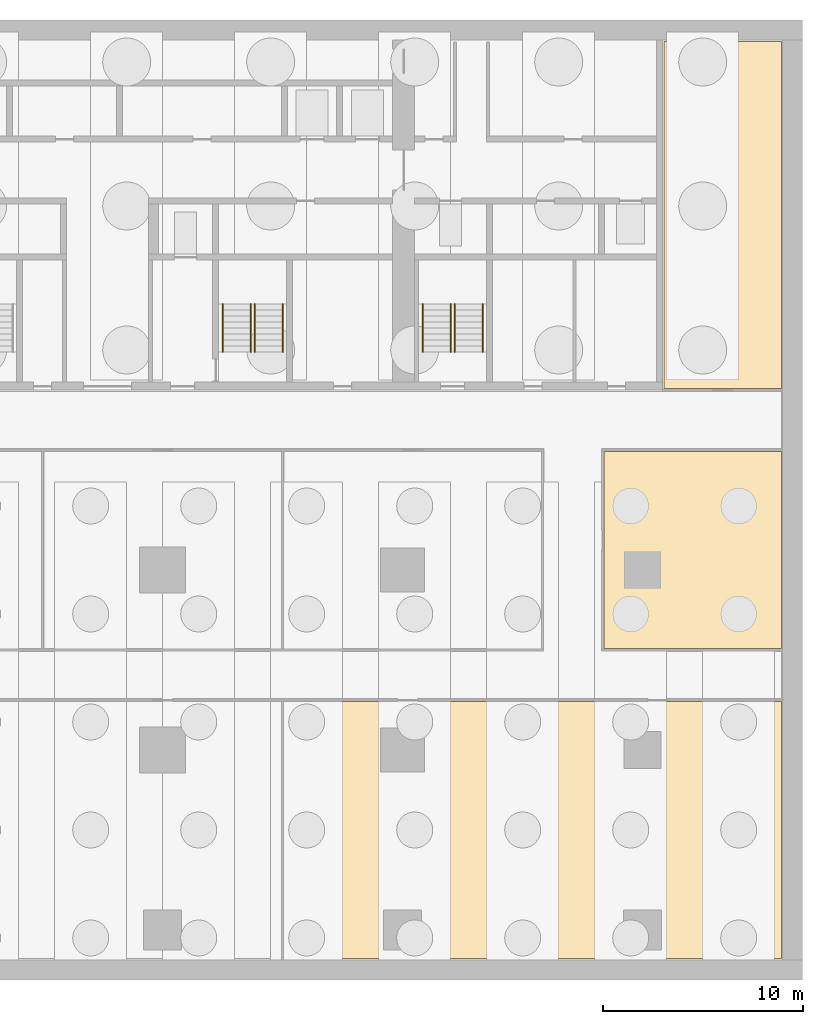
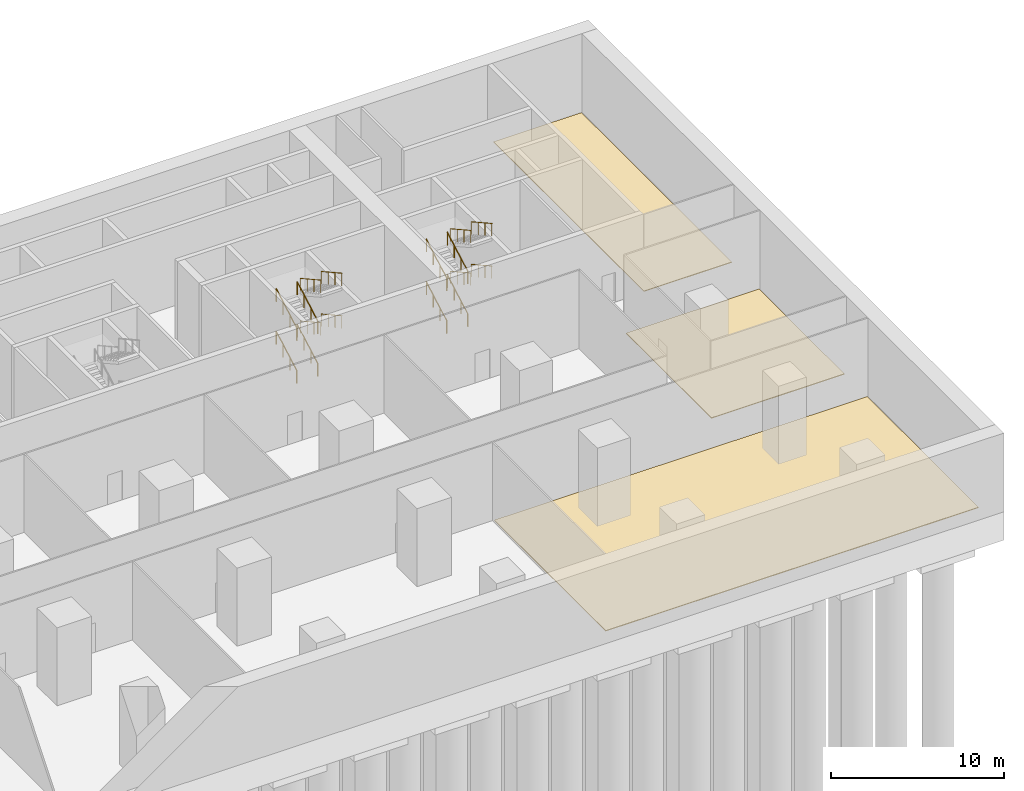
# One storey, part 10 of 11: 16 railings, 3 coverings, 2 elements without a shape of their own.
"""IFC4 building model written with IfcOpenShell, lengths in metres."""

import ifcopenshell
import ifcopenshell.guid

model = None  # the IFC model being written
_history = None  # IfcOwnerHistory: only IFC2X3 demands one
_inside = {}  # id of a spatial element -> (the spatial element, [elements in it])
_under = {}  # id of a project, library or spatial element -> (it, [spatial elements below it])
_declared = {}  # id of a project -> (the project, [libraries it declares])
_typed = {}  # id of a type object -> (the type object, [elements of that type])
_made_of = {}  # id of a material, layer set ... -> (it, [elements and type objects made of it])


def new_model(schema):
    """Start an empty IFC model of exactly this schema.

    Asked for "IFC4X3", IfcOpenShell would pick the latest addendum, in which some entities
    have other attributes; the version numbers below select the first issue.
    IFC2X3 requires an IfcOwnerHistory on every rooted entity: one is made here for all.
    """
    global model, _history
    if schema == "IFC4X3":
        model = ifcopenshell.file(schema_version=(4, 3, 0, 0))
    else:
        model = ifcopenshell.file(schema=schema)
    _inside.clear()
    _under.clear()
    _declared.clear()
    _typed.clear()
    _made_of.clear()
    _history = None
    if model.schema == "IFC2X3":
        org = make("IfcOrganization", Name="unknown")
        user = make(
            "IfcPersonAndOrganization",
            ThePerson=make("IfcPerson", FamilyName="unknown"),
            TheOrganization=org,
        )
        app = make(
            "IfcApplication",
            ApplicationDeveloper=org,
            Version="unknown",
            ApplicationFullName="unknown",
            ApplicationIdentifier="unknown",
        )
        _history = make(
            "IfcOwnerHistory",
            OwningUser=user,
            OwningApplication=app,
            ChangeAction="ADDED",
            CreationDate=0,
        )
    return model


def make(cls, **values):
    """One entity of the class cls with the attributes given. An attribute that is None is left unset."""
    return model.create_entity(
        cls, **{name: value for name, value in values.items() if value is not None}
    )


def rooted(cls, **values):
    """An entity with a GlobalId (a new one), such as an element, a storey or a relation."""
    return make(cls, GlobalId=ifcopenshell.guid.new(), OwnerHistory=_history, **values)


def si_unit(unit_type, name, prefix=None):
    """IfcSIUnit, for example si_unit("LENGTHUNIT", "METRE", prefix="MILLI")."""
    return make("IfcSIUnit", UnitType=unit_type, Prefix=prefix, Name=name)


def assignment(units):
    """IfcUnitAssignment: the units of a project."""
    return None if units is None else make("IfcUnitAssignment", Units=units)


def point(xyz):
    """IfcCartesianPoint."""
    return None if xyz is None else make("IfcCartesianPoint", Coordinates=xyz)


def direction(xyz):
    """IfcDirection."""
    return None if xyz is None else make("IfcDirection", DirectionRatios=xyz)


def frame(location, z_axis=None, x_axis=None):
    """IfcAxis2Placement3D, a coordinate frame: its origin and axes. An axis left out is left unset."""
    return make(
        "IfcAxis2Placement3D",
        Location=point(location),
        Axis=direction(z_axis),
        RefDirection=direction(x_axis),
    )


def frame_2d(location, x_axis=None):
    """IfcAxis2Placement2D, a coordinate frame in the plane: its origin and x axis."""
    return make(
        "IfcAxis2Placement2D", Location=point(location), RefDirection=direction(x_axis)
    )


def origin():
    """The frame at (0, 0, 0) with its axes left unset."""
    return frame((0.0, 0.0, 0.0))


def origin_2d():
    """The frame at (0, 0) in the plane with its x axis left unset."""
    return frame_2d((0.0, 0.0))


def place(relative_to, where):
    """IfcLocalPlacement: puts the frame where relative to a parent placement (None: the world)."""
    return make(
        "IfcLocalPlacement", PlacementRelTo=relative_to, RelativePlacement=where
    )


def context(
    kind, dimensions, precision=None, world=None, true_north=None, identifier=None
):
    """IfcGeometricRepresentationContext, for example the 3D "Model" context."""
    return make(
        "IfcGeometricRepresentationContext",
        ContextIdentifier=identifier,
        ContextType=kind,
        CoordinateSpaceDimension=dimensions,
        Precision=precision,
        WorldCoordinateSystem=world,
        TrueNorth=true_north,
    )


def subcontext(parent, identifier, kind, view, scale=None):
    """IfcGeometricRepresentationSubContext, for example "Body" below "Model"."""
    return make(
        "IfcGeometricRepresentationSubContext",
        ContextIdentifier=identifier,
        ContextType=kind,
        ParentContext=parent,
        TargetScale=scale,
        TargetView=view,
    )


def project(units=None, contexts=None):
    """IfcProject with its units and contexts."""
    return rooted(
        "IfcProject",
        Name="project",
        RepresentationContexts=contexts,
        UnitsInContext=assignment(units),
    )


def spatial(cls, under=None, at=None, **own):
    """A site, building, storey or space (cls), placed at a placement, below another one or the project."""
    s = rooted(cls, ObjectPlacement=at, **own)
    if under is not None:
        _under.setdefault(under.id(), (under, []))[1].append(s)
    return s


def polyline(points):
    """IfcPolyline through the points."""
    return make("IfcPolyline", Points=[point(p) for p in points])


def profile(cls, at=None, kind="AREA", **sizes):
    """A parametric profile (cls). Its sizes go by their IFC names, for example OverallWidth=200.0."""
    return make(cls, ProfileType=kind, Position=at, **sizes)


def circle(**sizes):
    """IfcCircleProfileDef."""
    return profile("IfcCircleProfileDef", **sizes)


def outline(outer, holes=None, kind="AREA"):
    """IfcArbitraryClosedProfileDef: a profile drawn as a closed curve; with holes, ...WithVoids."""
    if holes is None:
        return make("IfcArbitraryClosedProfileDef", ProfileType=kind, OuterCurve=outer)
    return make(
        "IfcArbitraryProfileDefWithVoids",
        ProfileType=kind,
        OuterCurve=outer,
        InnerCurves=holes,
    )


def extrude(swept, where, along, depth):
    """IfcExtrudedAreaSolid: the profile swept, set in the frame where, extruded along a direction by depth."""
    return make(
        "IfcExtrudedAreaSolid",
        SweptArea=swept,
        Position=where,
        ExtrudedDirection=direction(along),
        Depth=depth,
    )


def shape(context_of_items, identifier, shape_type, items):
    """IfcShapeRepresentation: the items that make up one representation, for example the "Body"."""
    return make(
        "IfcShapeRepresentation",
        ContextOfItems=context_of_items,
        RepresentationIdentifier=identifier,
        RepresentationType=shape_type,
        Items=items,
    )


def material(Name=None, Category=None):
    """IfcMaterial."""
    return make("IfcMaterial", Name=Name, Category=Category)


def layer(
    of_material, thickness, ventilated=None, Name=None, Category=None, Priority=None
):
    """IfcMaterialLayer: one layer of a wall or slab, of a material (None: an air gap)."""
    return make(
        "IfcMaterialLayer",
        Material=of_material,
        LayerThickness=thickness,
        IsVentilated=ventilated,
        Name=Name,
        Category=Category,
        Priority=Priority,
    )


def layer_set(layers, Name=None):
    """IfcMaterialLayerSet."""
    return make("IfcMaterialLayerSet", MaterialLayers=layers, LayerSetName=Name)


def made_of(thing, what):
    """Note that an element or type object is made of a material, layer set ...; save() writes the relation."""
    if what is not None:
        _made_of.setdefault(what.id(), (what, []))[1].append(thing)
    return thing


def type_object(cls, material=None, **own):
    """A type object (cls), such as IfcWallType, which elements share."""
    return made_of(rooted(cls, **own), material)


def element(
    cls,
    number,
    at=None,
    inside=None,
    cuts=None,
    type_object=None,
    material=None,
    context=None,
    identifier="Body",
    shape_type=None,
    held_by="IfcProductDefinitionShape",
    body=None,
    shapes=None,
    **own,
):
    """One element of the class cls, such as IfcWall. Its Tag is "e" and its number.

    at: its placement. inside: the storey or other place that contains it. cuts: it is an
    opening in that element (IfcRelVoidsElement). A single representation is given by context,
    identifier, shape_type and body (its items); several are given by shapes. held_by: the class
    of the entity that holds the representations. save() writes the other relations.
    """
    e = rooted(cls, Tag="e%d" % number, ObjectPlacement=at, **own)
    if body is not None:
        shapes = [shape(context, identifier, shape_type, body)]
    if shapes is not None:
        e.Representation = make(held_by, Representations=shapes)
    if inside is not None:
        _inside.setdefault(inside.id(), (inside, []))[1].append(e)
    if cuts is not None:
        rooted(
            "IfcRelVoidsElement", RelatingBuildingElement=cuts, RelatedOpeningElement=e
        )
    if type_object is not None:
        _typed.setdefault(type_object.id(), (type_object, []))[1].append(e)
    return made_of(e, material)


def aggregate(whole, parts):
    """IfcRelAggregates: a whole, such as a stair, and the parts it consists of."""
    return rooted("IfcRelAggregates", RelatingObject=whole, RelatedObjects=parts)


def save(model, path):
    """Write the relations noted so far, then the file.

    IfcRelAggregates (storeys below a building ...), IfcRelContainedInSpatialStructure (elements
    in a storey), IfcRelDefinesByType, IfcRelAssociatesMaterial and IfcRelDeclares: one each for
    every whole, place, type object, material and project.
    """
    for whole, parts in _under.values():
        aggregate(whole, parts)
    for where, things in _inside.values():
        rooted(
            "IfcRelContainedInSpatialStructure",
            RelatedElements=things,
            RelatingStructure=where,
        )
    for kind, things in _typed.values():
        rooted("IfcRelDefinesByType", RelatedObjects=things, RelatingType=kind)
    for what, things in _made_of.values():
        rooted("IfcRelAssociatesMaterial", RelatedObjects=things, RelatingMaterial=what)
    for by, libraries in _declared.values():
        rooted("IfcRelDeclares", RelatingContext=by, RelatedDefinitions=libraries)
    model.write(path)


model = new_model("IFC4")

# Units and contexts
model_context = context("Model", 3, precision=1e-05, world=origin(), true_north=direction((0.0, 1.0)))
body_context = subcontext(model_context, "Body", "Model", "MODEL_VIEW")
ifc_project = project(units=[si_unit("LENGTHUNIT", "METRE"), si_unit("AREAUNIT", "SQUARE_METRE"), si_unit("VOLUMEUNIT", "CUBIC_METRE"), si_unit("PLANEANGLEUNIT", "RADIAN"), si_unit("MASSUNIT", "GRAM", prefix="KILO")], contexts=[model_context])

# Site, building, storey
site_placement = place(None, origin())
site = spatial("IfcSite", under=ifc_project, at=site_placement, CompositionType="ELEMENT")
building_placement = place(site_placement, origin())
building = spatial("IfcBuilding", under=site, at=building_placement, Name="Calvaro Tower", CompositionType="ELEMENT")
storey_placement = place(building_placement, frame((0.0, 0.0, -12.0)))
storey = spatial("IfcBuildingStorey", under=building, at=storey_placement, Name="B2", CompositionType="ELEMENT", Elevation=-12.0)

# Coverings
ifc_material_1 = material(Name="Cement screed with carpet tile finish")
ifc_layer = layer(ifc_material_1, 0.050048828125)
ifc_layer_set = layer_set([ifc_layer], Name="Cement screed with carpet tile finish")
covering_type = type_object("IfcCoveringType", Name="Floor finish 50", PredefinedType="FLOORING", material=ifc_layer_set)
covering_1_placement = place(storey_placement, origin())
element("IfcCovering", 1, at=covering_1_placement, inside=storey, type_object=covering_type, Name="Floor finish 01.05", PredefinedType="FLOORING", context=body_context, shape_type="SweptSolid", body=[
    extrude(outline(polyline([(78.929931640625, -0.429931640625), (54.070068359375, -0.429931640625), (54.070068359375, 12.429931640625), (78.929931640625, 12.429931640625), (78.929931640625, -0.429931640625)])), origin(), (0.0, 0.0, 1.0), 0.050048828125),
])
covering_2_placement = place(storey_placement, origin())
element("IfcCovering", 2, at=covering_2_placement, inside=storey, type_object=covering_type, Name="Floor finish 01.12", PredefinedType="FLOORING", context=body_context, shape_type="SweptSolid", body=[
    extrude(outline(polyline([(78.929931640625, 15.070068359375), (70.070068359375, 15.070068359375), (70.070068359375, 24.929931640625), (78.929931640625, 24.929931640625), (78.929931640625, 15.070068359375)])), origin(), (0.0, 0.0, 1.0), 0.050048828125),
])
covering_3_placement = place(storey_placement, origin())
element("IfcCovering", 3, at=covering_3_placement, inside=storey, type_object=covering_type, Name="Floor finish 01.14", PredefinedType="FLOORING", context=body_context, shape_type="SweptSolid", body=[
    extrude(outline(polyline([(78.929931640625, 28.070068359375), (73.070068359375, 28.070068359375), (73.070068359375, 45.429931640625), (78.929931640625, 45.429931640625), (78.929931640625, 28.070068359375)])), origin(), (0.0, 0.0, 1.0), 0.050048828125),
])

# Stair, railings
ifc_material_2 = material(Name="Concrete C40/50", Category="concrete")
stair_type = type_object("IfcStairType", Name="Exit stair 1400 4 flights", PredefinedType="DOUBLE_RETURN_STAIR", material=ifc_material_2)
stair_1_placement = place(storey_placement, origin())
stair_1 = element("IfcStair", 4, at=stair_1_placement, inside=storey, type_object=stair_type, Name="Exit stair S4", PredefinedType="DOUBLE_RETURN_STAIR")
ifc_material_3 = material(Name="Stainless steel", Category="steel")
railing_type = type_object("IfcRailingType", Name="Stair handrail", PredefinedType="HANDRAIL", material=ifc_material_3)
railing_1_placement = place(storey_placement, frame((52.39990234375, 29.89990234375, 0.166748046875)))
railing_1 = element("IfcRailing", 5, at=railing_1_placement, type_object=railing_type, Name="Exit stair 4 handrail", PredefinedType="HANDRAIL", context=body_context, shape_type="SweptSolid", body=[
    extrude(circle(Radius=0.02392578125, at=origin_2d()), frame((0.0, 0.0, 0.8759765625), z_axis=(0.0, 0.874182441271, 0.485597631145), x_axis=(-1.0, 0.0, 0.0)), (0.0, 0.0, 1.0), 2.74560546875),
    extrude(circle(Radius=0.02099609375, at=origin_2d()), frame((0.0, 0.018310546875, 0.01025390625)), (0.0, 0.0, 1.0), 0.851806640625),
    extrude(circle(Radius=0.02099609375, at=origin_2d()), frame((0.0, 0.800048828125, 0.4443359375)), (0.0, 0.0, 1.0), 0.851806640625),
    extrude(circle(Radius=0.02099609375, at=origin_2d()), frame((0.0, 1.60009765625, 0.888916015625)), (0.0, 0.0, 1.0), 0.851806640625),
    extrude(circle(Radius=0.02099609375, at=origin_2d()), frame((0.0, 2.3818359375, 1.322998046875)), (0.0, 0.0, 1.0), 0.851806640625),
])
railing_2_placement = place(storey_placement, frame((51.0, 29.89990234375, 0.166748046875)))
railing_2 = element("IfcRailing", 6, at=railing_2_placement, type_object=railing_type, Name="Exit stair 4 handrail", PredefinedType="HANDRAIL", context=body_context, shape_type="SweptSolid", body=[
    extrude(circle(Radius=0.02392578125, at=origin_2d()), frame((0.0, 0.0, 0.8759765625), z_axis=(0.0, 0.874182441271, 0.485597631145), x_axis=(-1.0, 0.0, 0.0)), (0.0, 0.0, 1.0), 2.74560546875),
    extrude(circle(Radius=0.02099609375, at=origin_2d()), frame((0.0, 0.018310546875, 0.01025390625)), (0.0, 0.0, 1.0), 0.851806640625),
    extrude(circle(Radius=0.02099609375, at=origin_2d()), frame((0.0, 0.800048828125, 0.4443359375)), (0.0, 0.0, 1.0), 0.851806640625),
    extrude(circle(Radius=0.02099609375, at=origin_2d()), frame((0.0, 1.60009765625, 0.888916015625)), (0.0, 0.0, 1.0), 0.851806640625),
    extrude(circle(Radius=0.02099609375, at=origin_2d()), frame((0.0, 2.3818359375, 1.322998046875)), (0.0, 0.0, 1.0), 0.851806640625),
])
railing_3_placement = place(storey_placement, frame((52.60009765625, 32.300048828125, 1.666748046875)))
railing_3 = element("IfcRailing", 7, at=railing_3_placement, type_object=railing_type, Name="Exit stair 4 handrail", PredefinedType="HANDRAIL", context=body_context, shape_type="SweptSolid", body=[
    extrude(circle(Radius=0.02392578125, at=origin_2d()), frame((0.0, 0.0, 0.8759765625), z_axis=(0.0, -0.874182441271, 0.485597631145), x_axis=(1.0, 0.0, 0.0)), (0.0, 0.0, 1.0), 2.74560546875),
    extrude(circle(Radius=0.02099609375, at=origin_2d()), frame((0.0, -0.018310546875, 0.01025390625)), (0.0, 0.0, 1.0), 0.851806640625),
    extrude(circle(Radius=0.02099609375, at=origin_2d()), frame((0.0, -0.800048828125, 0.4443359375)), (0.0, 0.0, 1.0), 0.851806640625),
    extrude(circle(Radius=0.02099609375, at=origin_2d()), frame((0.0, -1.60009765625, 0.888916015625)), (0.0, 0.0, 1.0), 0.851806640625),
    extrude(circle(Radius=0.02099609375, at=origin_2d()), frame((0.0, -2.3818359375, 1.322998046875)), (0.0, 0.0, 1.0), 0.851806640625),
])
railing_4_placement = place(storey_placement, frame((54.0, 32.300048828125, 1.666748046875)))
railing_4 = element("IfcRailing", 8, at=railing_4_placement, type_object=railing_type, Name="Exit stair 4 handrail", PredefinedType="HANDRAIL", context=body_context, shape_type="SweptSolid", body=[
    extrude(circle(Radius=0.02392578125, at=origin_2d()), frame((0.0, 0.0, 0.8759765625), z_axis=(0.0, -0.874182441271, 0.485597631145), x_axis=(1.0, 0.0, 0.0)), (0.0, 0.0, 1.0), 2.74560546875),
    extrude(circle(Radius=0.02099609375, at=origin_2d()), frame((0.0, -0.018310546875, 0.01025390625)), (0.0, 0.0, 1.0), 0.851806640625),
    extrude(circle(Radius=0.02099609375, at=origin_2d()), frame((0.0, -0.800048828125, 0.4443359375)), (0.0, 0.0, 1.0), 0.851806640625),
    extrude(circle(Radius=0.02099609375, at=origin_2d()), frame((0.0, -1.60009765625, 0.888916015625)), (0.0, 0.0, 1.0), 0.851806640625),
    extrude(circle(Radius=0.02099609375, at=origin_2d()), frame((0.0, -2.3818359375, 1.322998046875)), (0.0, 0.0, 1.0), 0.851806640625),
])
railing_5_placement = place(storey_placement, frame((52.39990234375, 29.89990234375, 3.166748046875)))
railing_5 = element("IfcRailing", 9, at=railing_5_placement, type_object=railing_type, Name="Exit stair 4 handrail", PredefinedType="HANDRAIL", context=body_context, shape_type="SweptSolid", body=[
    extrude(circle(Radius=0.02392578125, at=origin_2d()), frame((0.0, 0.0, 0.8759765625), z_axis=(0.0, 0.874182441271, 0.485597631145), x_axis=(-1.0, 0.0, 0.0)), (0.0, 0.0, 1.0), 2.74560546875),
    extrude(circle(Radius=0.02099609375, at=origin_2d()), frame((0.0, 0.018310546875, 0.01025390625)), (0.0, 0.0, 1.0), 0.851806640625),
    extrude(circle(Radius=0.02099609375, at=origin_2d()), frame((0.0, 0.800048828125, 0.4443359375)), (0.0, 0.0, 1.0), 0.851806640625),
    extrude(circle(Radius=0.02099609375, at=origin_2d()), frame((0.0, 1.60009765625, 0.888916015625)), (0.0, 0.0, 1.0), 0.851806640625),
    extrude(circle(Radius=0.02099609375, at=origin_2d()), frame((0.0, 2.3818359375, 1.322998046875)), (0.0, 0.0, 1.0), 0.851806640625),
])
railing_6_placement = place(storey_placement, frame((51.0, 29.89990234375, 3.166748046875)))
railing_6 = element("IfcRailing", 10, at=railing_6_placement, type_object=railing_type, Name="Exit stair 4 handrail", PredefinedType="HANDRAIL", context=body_context, shape_type="SweptSolid", body=[
    extrude(circle(Radius=0.02392578125, at=origin_2d()), frame((0.0, 0.0, 0.8759765625), z_axis=(0.0, 0.874182441271, 0.485597631145), x_axis=(-1.0, 0.0, 0.0)), (0.0, 0.0, 1.0), 2.74560546875),
    extrude(circle(Radius=0.02099609375, at=origin_2d()), frame((0.0, 0.018310546875, 0.01025390625)), (0.0, 0.0, 1.0), 0.851806640625),
    extrude(circle(Radius=0.02099609375, at=origin_2d()), frame((0.0, 0.800048828125, 0.4443359375)), (0.0, 0.0, 1.0), 0.851806640625),
    extrude(circle(Radius=0.02099609375, at=origin_2d()), frame((0.0, 1.60009765625, 0.888916015625)), (0.0, 0.0, 1.0), 0.851806640625),
    extrude(circle(Radius=0.02099609375, at=origin_2d()), frame((0.0, 2.3818359375, 1.322998046875)), (0.0, 0.0, 1.0), 0.851806640625),
])
railing_7_placement = place(storey_placement, frame((52.60009765625, 32.300048828125, 4.666748046875)))
railing_7 = element("IfcRailing", 11, at=railing_7_placement, type_object=railing_type, Name="Exit stair 4 handrail", PredefinedType="HANDRAIL", context=body_context, shape_type="SweptSolid", body=[
    extrude(circle(Radius=0.02392578125, at=origin_2d()), frame((0.0, 0.0, 0.8759765625), z_axis=(0.0, -0.874182441271, 0.485597631145), x_axis=(1.0, 0.0, 0.0)), (0.0, 0.0, 1.0), 2.74560546875),
    extrude(circle(Radius=0.02099609375, at=origin_2d()), frame((0.0, -0.018310546875, 0.01025390625)), (0.0, 0.0, 1.0), 0.851806640625),
    extrude(circle(Radius=0.02099609375, at=origin_2d()), frame((0.0, -0.800048828125, 0.4443359375)), (0.0, 0.0, 1.0), 0.851806640625),
    extrude(circle(Radius=0.02099609375, at=origin_2d()), frame((0.0, -1.60009765625, 0.888916015625)), (0.0, 0.0, 1.0), 0.851806640625),
    extrude(circle(Radius=0.02099609375, at=origin_2d()), frame((0.0, -2.3818359375, 1.322998046875)), (0.0, 0.0, 1.0), 0.851806640625),
])
railing_8_placement = place(storey_placement, frame((54.0, 32.300048828125, 4.666748046875)))
railing_8 = element("IfcRailing", 12, at=railing_8_placement, type_object=railing_type, Name="Exit stair 4 handrail", PredefinedType="HANDRAIL", context=body_context, shape_type="SweptSolid", body=[
    extrude(circle(Radius=0.02392578125, at=origin_2d()), frame((0.0, 0.0, 0.8759765625), z_axis=(0.0, -0.874182441271, 0.485597631145), x_axis=(1.0, 0.0, 0.0)), (0.0, 0.0, 1.0), 2.74560546875),
    extrude(circle(Radius=0.02099609375, at=origin_2d()), frame((0.0, -0.018310546875, 0.01025390625)), (0.0, 0.0, 1.0), 0.851806640625),
    extrude(circle(Radius=0.02099609375, at=origin_2d()), frame((0.0, -0.800048828125, 0.4443359375)), (0.0, 0.0, 1.0), 0.851806640625),
    extrude(circle(Radius=0.02099609375, at=origin_2d()), frame((0.0, -1.60009765625, 0.888916015625)), (0.0, 0.0, 1.0), 0.851806640625),
    extrude(circle(Radius=0.02099609375, at=origin_2d()), frame((0.0, -2.3818359375, 1.322998046875)), (0.0, 0.0, 1.0), 0.851806640625),
])
aggregate(stair_1, [railing_1, railing_2, railing_3, railing_4, railing_5, railing_6, railing_7, railing_8])

stair_2_placement = place(storey_placement, origin())
stair_2 = element("IfcStair", 13, at=stair_2_placement, inside=storey, type_object=stair_type, Name="Exit stair S5", PredefinedType="DOUBLE_RETURN_STAIR")
railing_9_placement = place(storey_placement, frame((62.39990234375, 29.89990234375, 0.166748046875)))
railing_9 = element("IfcRailing", 14, at=railing_9_placement, type_object=railing_type, Name="Exit stair 5 handrail", PredefinedType="HANDRAIL", context=body_context, shape_type="SweptSolid", body=[
    extrude(circle(Radius=0.02392578125, at=origin_2d()), frame((0.0, 0.0, 0.8759765625), z_axis=(0.0, 0.874182441271, 0.485597631145), x_axis=(-1.0, 0.0, 0.0)), (0.0, 0.0, 1.0), 2.74560546875),
    extrude(circle(Radius=0.02099609375, at=origin_2d()), frame((0.0, 0.018310546875, 0.01025390625)), (0.0, 0.0, 1.0), 0.851806640625),
    extrude(circle(Radius=0.02099609375, at=origin_2d()), frame((0.0, 0.800048828125, 0.4443359375)), (0.0, 0.0, 1.0), 0.851806640625),
    extrude(circle(Radius=0.02099609375, at=origin_2d()), frame((0.0, 1.60009765625, 0.888916015625)), (0.0, 0.0, 1.0), 0.851806640625),
    extrude(circle(Radius=0.02099609375, at=origin_2d()), frame((0.0, 2.3818359375, 1.322998046875)), (0.0, 0.0, 1.0), 0.851806640625),
])
railing_10_placement = place(storey_placement, frame((61.0, 29.89990234375, 0.166748046875)))
railing_10 = element("IfcRailing", 15, at=railing_10_placement, type_object=railing_type, Name="Exit stair 5 handrail", PredefinedType="HANDRAIL", context=body_context, shape_type="SweptSolid", body=[
    extrude(circle(Radius=0.02392578125, at=origin_2d()), frame((0.0, 0.0, 0.8759765625), z_axis=(0.0, 0.874182441271, 0.485597631145), x_axis=(-1.0, 0.0, 0.0)), (0.0, 0.0, 1.0), 2.74560546875),
    extrude(circle(Radius=0.02099609375, at=origin_2d()), frame((0.0, 0.018310546875, 0.01025390625)), (0.0, 0.0, 1.0), 0.851806640625),
    extrude(circle(Radius=0.02099609375, at=origin_2d()), frame((0.0, 0.800048828125, 0.4443359375)), (0.0, 0.0, 1.0), 0.851806640625),
    extrude(circle(Radius=0.02099609375, at=origin_2d()), frame((0.0, 1.60009765625, 0.888916015625)), (0.0, 0.0, 1.0), 0.851806640625),
    extrude(circle(Radius=0.02099609375, at=origin_2d()), frame((0.0, 2.3818359375, 1.322998046875)), (0.0, 0.0, 1.0), 0.851806640625),
])
railing_11_placement = place(storey_placement, frame((62.60009765625, 32.300048828125, 1.666748046875)))
railing_11 = element("IfcRailing", 16, at=railing_11_placement, type_object=railing_type, Name="Exit stair 5 handrail", PredefinedType="HANDRAIL", context=body_context, shape_type="SweptSolid", body=[
    extrude(circle(Radius=0.02392578125, at=origin_2d()), frame((0.0, 0.0, 0.8759765625), z_axis=(0.0, -0.874182441271, 0.485597631145), x_axis=(1.0, 0.0, 0.0)), (0.0, 0.0, 1.0), 2.74560546875),
    extrude(circle(Radius=0.02099609375, at=origin_2d()), frame((0.0, -0.018310546875, 0.01025390625)), (0.0, 0.0, 1.0), 0.851806640625),
    extrude(circle(Radius=0.02099609375, at=origin_2d()), frame((0.0, -0.800048828125, 0.4443359375)), (0.0, 0.0, 1.0), 0.851806640625),
    extrude(circle(Radius=0.02099609375, at=origin_2d()), frame((0.0, -1.60009765625, 0.888916015625)), (0.0, 0.0, 1.0), 0.851806640625),
    extrude(circle(Radius=0.02099609375, at=origin_2d()), frame((0.0, -2.3818359375, 1.322998046875)), (0.0, 0.0, 1.0), 0.851806640625),
])
railing_12_placement = place(storey_placement, frame((64.0, 32.300048828125, 1.666748046875)))
railing_12 = element("IfcRailing", 17, at=railing_12_placement, type_object=railing_type, Name="Exit stair 5 handrail", PredefinedType="HANDRAIL", context=body_context, shape_type="SweptSolid", body=[
    extrude(circle(Radius=0.02392578125, at=origin_2d()), frame((0.0, 0.0, 0.8759765625), z_axis=(0.0, -0.874182441271, 0.485597631145), x_axis=(1.0, 0.0, 0.0)), (0.0, 0.0, 1.0), 2.74560546875),
    extrude(circle(Radius=0.02099609375, at=origin_2d()), frame((0.0, -0.018310546875, 0.01025390625)), (0.0, 0.0, 1.0), 0.851806640625),
    extrude(circle(Radius=0.02099609375, at=origin_2d()), frame((0.0, -0.800048828125, 0.4443359375)), (0.0, 0.0, 1.0), 0.851806640625),
    extrude(circle(Radius=0.02099609375, at=origin_2d()), frame((0.0, -1.60009765625, 0.888916015625)), (0.0, 0.0, 1.0), 0.851806640625),
    extrude(circle(Radius=0.02099609375, at=origin_2d()), frame((0.0, -2.3818359375, 1.322998046875)), (0.0, 0.0, 1.0), 0.851806640625),
])
railing_13_placement = place(storey_placement, frame((62.39990234375, 29.89990234375, 3.166748046875)))
railing_13 = element("IfcRailing", 18, at=railing_13_placement, type_object=railing_type, Name="Exit stair 5 handrail", PredefinedType="HANDRAIL", context=body_context, shape_type="SweptSolid", body=[
    extrude(circle(Radius=0.02392578125, at=origin_2d()), frame((0.0, 0.0, 0.8759765625), z_axis=(0.0, 0.874182441271, 0.485597631145), x_axis=(-1.0, 0.0, 0.0)), (0.0, 0.0, 1.0), 2.74560546875),
    extrude(circle(Radius=0.02099609375, at=origin_2d()), frame((0.0, 0.018310546875, 0.01025390625)), (0.0, 0.0, 1.0), 0.851806640625),
    extrude(circle(Radius=0.02099609375, at=origin_2d()), frame((0.0, 0.800048828125, 0.4443359375)), (0.0, 0.0, 1.0), 0.851806640625),
    extrude(circle(Radius=0.02099609375, at=origin_2d()), frame((0.0, 1.60009765625, 0.888916015625)), (0.0, 0.0, 1.0), 0.851806640625),
    extrude(circle(Radius=0.02099609375, at=origin_2d()), frame((0.0, 2.3818359375, 1.322998046875)), (0.0, 0.0, 1.0), 0.851806640625),
])
railing_14_placement = place(storey_placement, frame((61.0, 29.89990234375, 3.166748046875)))
railing_14 = element("IfcRailing", 19, at=railing_14_placement, type_object=railing_type, Name="Exit stair 5 handrail", PredefinedType="HANDRAIL", context=body_context, shape_type="SweptSolid", body=[
    extrude(circle(Radius=0.02392578125, at=origin_2d()), frame((0.0, 0.0, 0.8759765625), z_axis=(0.0, 0.874182441271, 0.485597631145), x_axis=(-1.0, 0.0, 0.0)), (0.0, 0.0, 1.0), 2.74560546875),
    extrude(circle(Radius=0.02099609375, at=origin_2d()), frame((0.0, 0.018310546875, 0.01025390625)), (0.0, 0.0, 1.0), 0.851806640625),
    extrude(circle(Radius=0.02099609375, at=origin_2d()), frame((0.0, 0.800048828125, 0.4443359375)), (0.0, 0.0, 1.0), 0.851806640625),
    extrude(circle(Radius=0.02099609375, at=origin_2d()), frame((0.0, 1.60009765625, 0.888916015625)), (0.0, 0.0, 1.0), 0.851806640625),
    extrude(circle(Radius=0.02099609375, at=origin_2d()), frame((0.0, 2.3818359375, 1.322998046875)), (0.0, 0.0, 1.0), 0.851806640625),
])
railing_15_placement = place(storey_placement, frame((62.60009765625, 32.300048828125, 4.666748046875)))
railing_15 = element("IfcRailing", 20, at=railing_15_placement, type_object=railing_type, Name="Exit stair 5 handrail", PredefinedType="HANDRAIL", context=body_context, shape_type="SweptSolid", body=[
    extrude(circle(Radius=0.02392578125, at=origin_2d()), frame((0.0, 0.0, 0.8759765625), z_axis=(0.0, -0.874182441271, 0.485597631145), x_axis=(1.0, 0.0, 0.0)), (0.0, 0.0, 1.0), 2.74560546875),
    extrude(circle(Radius=0.02099609375, at=origin_2d()), frame((0.0, -0.018310546875, 0.01025390625)), (0.0, 0.0, 1.0), 0.851806640625),
    extrude(circle(Radius=0.02099609375, at=origin_2d()), frame((0.0, -0.800048828125, 0.4443359375)), (0.0, 0.0, 1.0), 0.851806640625),
    extrude(circle(Radius=0.02099609375, at=origin_2d()), frame((0.0, -1.60009765625, 0.888916015625)), (0.0, 0.0, 1.0), 0.851806640625),
    extrude(circle(Radius=0.02099609375, at=origin_2d()), frame((0.0, -2.3818359375, 1.322998046875)), (0.0, 0.0, 1.0), 0.851806640625),
])
railing_16_placement = place(storey_placement, frame((64.0, 32.300048828125, 4.666748046875)))
railing_16 = element("IfcRailing", 21, at=railing_16_placement, type_object=railing_type, Name="Exit stair 5 handrail", PredefinedType="HANDRAIL", context=body_context, shape_type="SweptSolid", body=[
    extrude(circle(Radius=0.02392578125, at=origin_2d()), frame((0.0, 0.0, 0.8759765625), z_axis=(0.0, -0.874182441271, 0.485597631145), x_axis=(1.0, 0.0, 0.0)), (0.0, 0.0, 1.0), 2.74560546875),
    extrude(circle(Radius=0.02099609375, at=origin_2d()), frame((0.0, -0.018310546875, 0.01025390625)), (0.0, 0.0, 1.0), 0.851806640625),
    extrude(circle(Radius=0.02099609375, at=origin_2d()), frame((0.0, -0.800048828125, 0.4443359375)), (0.0, 0.0, 1.0), 0.851806640625),
    extrude(circle(Radius=0.02099609375, at=origin_2d()), frame((0.0, -1.60009765625, 0.888916015625)), (0.0, 0.0, 1.0), 0.851806640625),
    extrude(circle(Radius=0.02099609375, at=origin_2d()), frame((0.0, -2.3818359375, 1.322998046875)), (0.0, 0.0, 1.0), 0.851806640625),
])
aggregate(stair_2, [railing_9, railing_10, railing_11, railing_12, railing_13, railing_14, railing_15, railing_16])

save(model, "model.ifc")
